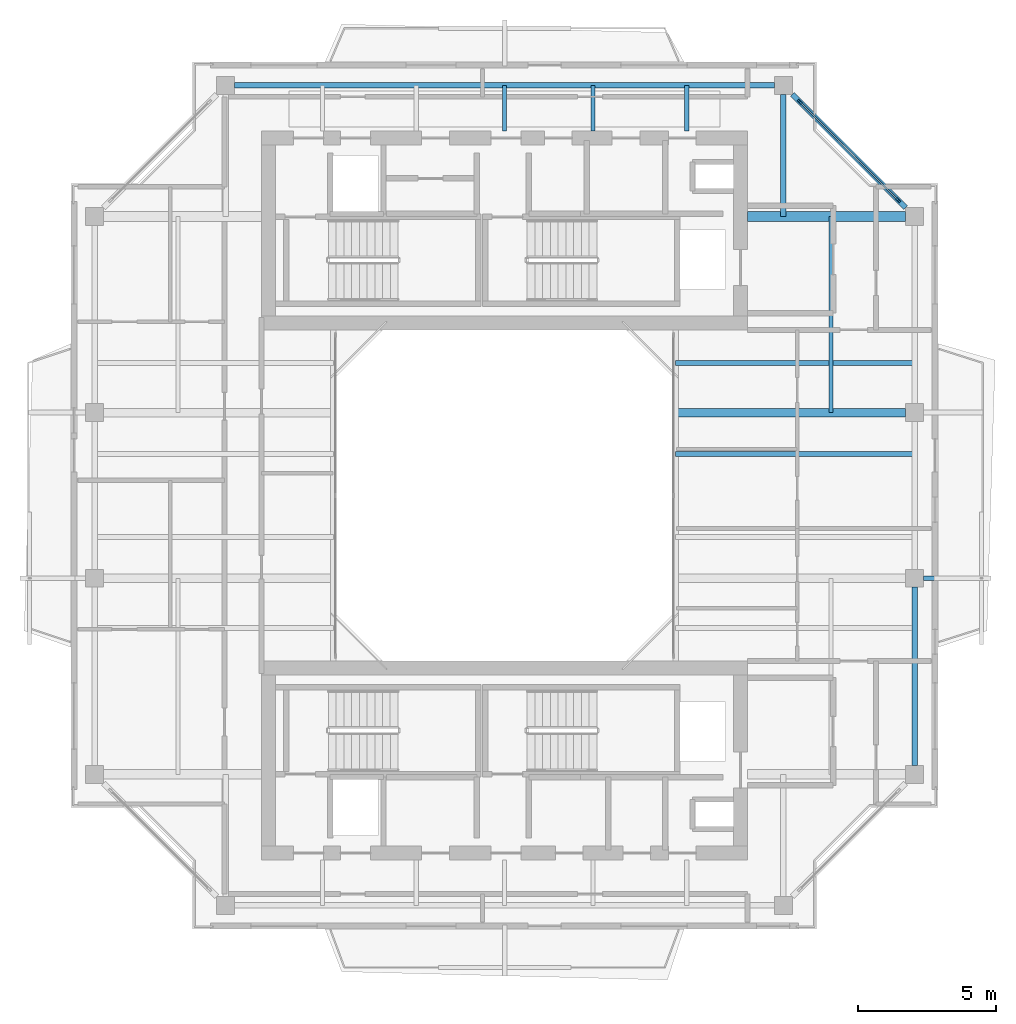
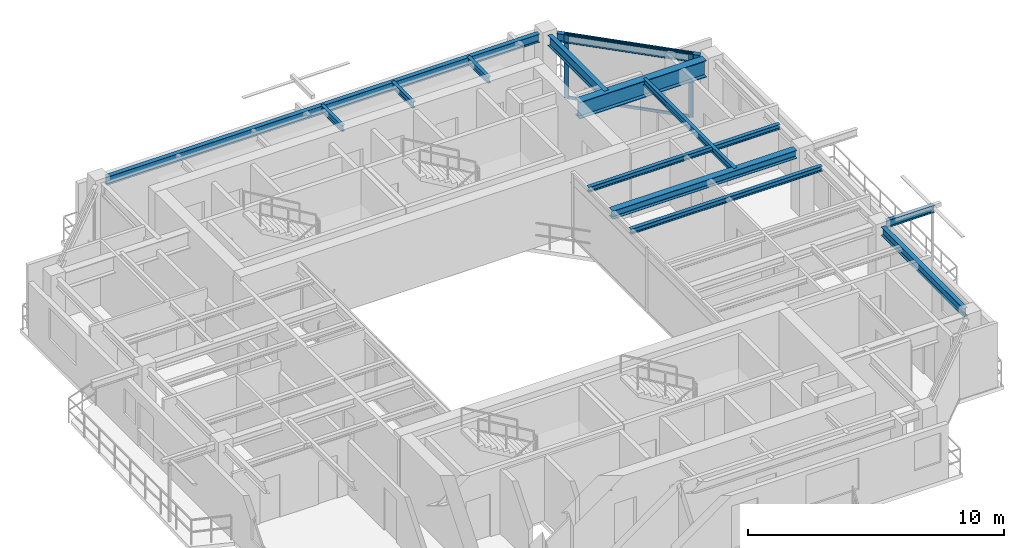
# One storey, part 6 of 15: 13 beams, 4 members, 1 element without a shape of its own.
"""IFC4 building model written with IfcOpenShell, lengths in metres."""

from ifc_helpers import new_model, si_unit, direction, frame, origin, origin_2d, place, context, subcontext, project, spatial, rectangle, i_section, extrude, source, transform, mapped, material, layer, layer_set, material_profile, profile_set, type_object, element, aggregate, save


model = new_model("IFC4")

# Units and contexts
model_context = context("Model", 3, precision=1e-05, world=origin(), true_north=direction((0.0, 1.0)))
body_context = subcontext(model_context, "Body", "Model", "MODEL_VIEW")
ifc_project = project(units=[si_unit("LENGTHUNIT", "METRE"), si_unit("AREAUNIT", "SQUARE_METRE"), si_unit("VOLUMEUNIT", "CUBIC_METRE"), si_unit("PLANEANGLEUNIT", "RADIAN"), si_unit("MASSUNIT", "GRAM", prefix="KILO"), si_unit("THERMODYNAMICTEMPERATUREUNIT", "KELVIN"), si_unit("POWERUNIT", "WATT")], contexts=[model_context])

# Site, building, storey
site_placement = place(None, origin())
site = spatial("IfcSite", under=ifc_project, at=site_placement, CompositionType="ELEMENT")
building_placement = place(site_placement, origin())
building = spatial("IfcBuilding", under=site, at=building_placement, Name="Qiaomeng Ring Towers", CompositionType="ELEMENT")
storey_placement = place(building_placement, frame((0.0, 0.0, 250.25)))
storey = spatial("IfcBuildingStorey", under=building, at=storey_placement, Name="L73", CompositionType="ELEMENT", Elevation=250.25)

# Beams
ifc_material_1 = material(Name="Steel Q355B", Category="steel")
ifc_material_profile_1 = material_profile(ifc_material_1, i_section(OverallWidth=0.198974609375, OverallDepth=0.39599609375, WebThickness=0.007080078125, FlangeThickness=0.010986328125, FilletRadius=0.01611328125, at=origin_2d()), Name="HN 396x199x7x11")
ifc_profile_set_1 = profile_set([ifc_material_profile_1], Name="Steel Q355B")
beam_type_1 = type_object("IfcBeamType", Name="STR-BM-HN396", PredefinedType="SPANDREL", material=ifc_profile_set_1)
shared_shape_1 = source(origin(), body_context, "Body", "SweptSolid", [
    extrude(i_section(OverallWidth=0.198974609375, OverallDepth=0.39599609375, WebThickness=0.007080078125, FlangeThickness=0.010986328125, FilletRadius=0.01611328125, at=origin_2d()), origin(), (0.0, 0.0, 1.0), 19.5517578125),
])
beam_1_placement = place(storey_placement, frame((28.77587890625, 37.85009765625, 2.8720703125), z_axis=(-1.0, 0.0, 0.0), x_axis=(0.0, -1.0, 0.0)))
element("IfcBeam", 1, at=beam_1_placement, inside=storey, type_object=beam_type_1, Name="L73 beam STR-SP-L73-T1-N2-N1", PredefinedType="SPANDREL", context=body_context, shape_type="MappedRepresentation", body=[
    mapped(shared_shape_1, transform((0.0, 0.0, 0.0), x_axis=(1.0, 0.0, 0.0), y_axis=(0.0, 1.0, 0.0), z_axis=(0.0, 0.0, 1.0), scale=1.0)),
])
shared_shape_2 = source(origin(), body_context, "Body", "SweptSolid", [
    extrude(i_section(OverallWidth=0.198974609375, OverallDepth=0.39599609375, WebThickness=0.007080078125, FlangeThickness=0.010986328125, FilletRadius=0.01611328125, at=origin_2d()), origin(), (0.0, 0.0, 1.0), 5.800048828125),
])
beam_2_placement = place(storey_placement, frame((33.525634765625, 33.42431640625, 2.8720703125), z_axis=(-0.707106781187, 0.707106781187, 0.0), x_axis=(-0.707106781187, -0.707106781187, 0.0)))
element("IfcBeam", 2, at=beam_2_placement, inside=storey, type_object=beam_type_1, Name="L73 beam STR-SP-L73-T1-E4-N2", PredefinedType="SPANDREL", context=body_context, shape_type="MappedRepresentation", body=[
    mapped(shared_shape_2, transform((0.0, 0.0, 0.0), x_axis=(1.0, 0.0, 0.0), y_axis=(0.0, 1.0, 0.0), z_axis=(0.0, 0.0, 1.0), scale=1.0)),
])
shared_shape_3 = source(origin(), body_context, "Body", "SweptSolid", [
    extrude(i_section(OverallWidth=0.198974609375, OverallDepth=0.39599609375, WebThickness=0.007080078125, FlangeThickness=0.010986328125, FilletRadius=0.01611328125, at=origin_2d()), origin(), (0.0, 0.0, 1.0), 6.451904296875),
])
beam_3_placement = place(storey_placement, frame((33.85009765625, 13.22412109375, 2.8720703125), z_axis=(0.0, 1.0, 0.0), x_axis=(-1.0, 0.0, 0.0)))
element("IfcBeam", 3, at=beam_3_placement, inside=storey, type_object=beam_type_1, Name="L73 beam STR-SP-L73-T1-E1-E2", PredefinedType="SPANDREL", context=body_context, shape_type="MappedRepresentation", body=[
    mapped(shared_shape_3, transform((0.0, 0.0, 0.0), x_axis=(1.0, 0.0, 0.0), y_axis=(0.0, 1.0, 0.0), z_axis=(0.0, 0.0, 1.0), scale=1.0)),
])
ifc_material_2 = material(Name="Steel Q390GJC", Category="steel")
ifc_material_profile_2 = material_profile(ifc_material_2, i_section(OverallWidth=0.35009765625, OverallDepth=0.800048828125, WebThickness=0.01611328125, FlangeThickness=0.028076171875, at=origin_2d()), Name="WH 800x350x16x28")
ifc_profile_set_2 = profile_set([ifc_material_profile_2], Name="Steel Q390GJC")
beam_type_2 = type_object("IfcBeamType", Name="STR-BM-WH800", PredefinedType="BEAM", material=ifc_profile_set_2)
shared_shape_4 = source(origin(), body_context, "Body", "SweptSolid", [
    extrude(i_section(OverallWidth=0.35009765625, OverallDepth=0.800048828125, WebThickness=0.01611328125, FlangeThickness=0.028076171875, at=origin_2d()), origin(), (0.0, 0.0, 1.0), 5.725830078125),
])
beam_4_placement = place(storey_placement, frame((27.800048828125, 33.10009765625, 2.669921875), z_axis=(1.0, 0.0, 0.0), x_axis=(0.0, 1.0, 0.0)))
element("IfcBeam", 4, at=beam_4_placement, inside=storey, type_object=beam_type_2, Name="L73 beam STR-BM-L73-T1-RAD-E4", PredefinedType="BEAM", context=body_context, shape_type="MappedRepresentation", body=[
    mapped(shared_shape_4, transform((0.0, 0.0, 0.0), x_axis=(1.0, 0.0, 0.0), y_axis=(0.0, 1.0, 0.0), z_axis=(0.0, 0.0, 1.0), scale=1.0)),
])
ifc_material_profile_3 = material_profile(ifc_material_1, i_section(OverallWidth=0.198974609375, OverallDepth=0.49609375, WebThickness=0.009033203125, FlangeThickness=0.013916015625, FilletRadius=0.01806640625, at=origin_2d()), Name="HN 496x199x9x14")
ifc_profile_set_3 = profile_set([ifc_material_profile_3], Name="Steel Q355B")
beam_type_3 = type_object("IfcBeamType", Name="STR-BM-HN496", PredefinedType="BEAM", material=ifc_profile_set_3)
shared_shape_5 = source(origin(), body_context, "Body", "SweptSolid", [
    extrude(i_section(OverallWidth=0.198974609375, OverallDepth=0.49609375, WebThickness=0.009033203125, FlangeThickness=0.013916015625, FilletRadius=0.01806640625, at=origin_2d()), origin(), (0.0, 0.0, 1.0), 4.42578125),
])
beam_5_placement = place(storey_placement, frame((29.10009765625, 37.52587890625, 2.822021484375), z_axis=(0.0, -1.0, 0.0), x_axis=(1.0, 0.0, 0.0)))
element("IfcBeam", 5, at=beam_5_placement, inside=storey, type_object=beam_type_3, Name="L73 beam STR-BM-L73-T1-RAD-N2", PredefinedType="BEAM", context=body_context, shape_type="MappedRepresentation", body=[
    mapped(shared_shape_5, transform((0.0, 0.0, 0.0), x_axis=(1.0, 0.0, 0.0), y_axis=(0.0, 1.0, 0.0), z_axis=(0.0, 0.0, 1.0), scale=1.0)),
])
ifc_material_profile_4 = material_profile(ifc_material_1, i_section(OverallWidth=0.300048828125, OverallDepth=0.389892578125, WebThickness=0.010009765625, FlangeThickness=0.01611328125, FilletRadius=0.02197265625, at=origin_2d()), Name="HM 390x300x10x16")
ifc_profile_set_4 = profile_set([ifc_material_profile_4], Name="Steel Q355B")
beam_type_4 = type_object("IfcBeamType", Name="STR-BM-HM390", PredefinedType="BEAM", material=ifc_profile_set_4)
shared_shape_6 = source(origin(), body_context, "Body", "SweptSolid", [
    extrude(i_section(OverallWidth=0.300048828125, OverallDepth=0.389892578125, WebThickness=0.010009765625, FlangeThickness=0.01611328125, FilletRadius=0.02197265625, at=origin_2d()), origin(), (0.0, 0.0, 1.0), 8.325927734375),
])
beam_6_placement = place(storey_placement, frame((25.199951171875, 26.0, 2.875), z_axis=(1.0, 0.0, 0.0), x_axis=(0.0, 1.0, 0.0)))
element("IfcBeam", 6, at=beam_6_placement, inside=storey, type_object=beam_type_4, Name="L73 beam STR-BM-L73-T1-RAD-E3", PredefinedType="BEAM", context=body_context, shape_type="MappedRepresentation", body=[
    mapped(shared_shape_6, transform((0.0, 0.0, 0.0), x_axis=(1.0, 0.0, 0.0), y_axis=(0.0, 1.0, 0.0), z_axis=(0.0, 0.0, 1.0), scale=1.0)),
])
ifc_material_profile_5 = material_profile(ifc_material_1, i_section(OverallWidth=0.175048828125, OverallDepth=0.35009765625, WebThickness=0.007080078125, FlangeThickness=0.010986328125, FilletRadius=0.013916015625, at=origin_2d()), Name="HN 350x175x7x11")
ifc_profile_set_5 = profile_set([ifc_material_profile_5], Name="Steel Q355B")
beam_type_5 = type_object("IfcBeamType", Name="STR-BM-HN350", PredefinedType="JOIST", material=ifc_profile_set_5)
shared_shape_7 = source(origin(), body_context, "Body", "SweptSolid", [
    extrude(i_section(OverallWidth=0.175048828125, OverallDepth=0.35009765625, WebThickness=0.007080078125, FlangeThickness=0.010986328125, FilletRadius=0.013916015625, at=origin_2d()), origin(), (0.0, 0.0, 1.0), 2.14599609375),
])
beam_7_placement = place(storey_placement, frame((34.174072265625, 20.0, 2.89501953125), z_axis=(1.0, 0.0, 0.0), x_axis=(0.0, 1.0, 0.0)))
element("IfcBeam", 7, at=beam_7_placement, inside=storey, type_object=beam_type_5, Name="L73 beam STR-BALBM-L73-E2", PredefinedType="JOIST", context=body_context, shape_type="MappedRepresentation", body=[
    mapped(shared_shape_7, transform((0.0, 0.0, 0.0), x_axis=(1.0, 0.0, 0.0), y_axis=(0.0, 1.0, 0.0), z_axis=(0.0, 0.0, 1.0), scale=1.0)),
])
ifc_material_profile_6 = material_profile(ifc_material_1, i_section(OverallWidth=0.14990234375, OverallDepth=0.300048828125, WebThickness=0.006591796875, FlangeThickness=0.009033203125, FilletRadius=0.012939453125, at=origin_2d()), Name="HN 300x150x6.5x9")
ifc_profile_set_6 = profile_set([ifc_material_profile_6], Name="Steel Q355B")
beam_type_6 = type_object("IfcBeamType", Name="STR-BM-HN300", PredefinedType="JOIST", material=ifc_profile_set_6)
shared_shape_8 = source(origin(), body_context, "Body", "SweptSolid", [
    extrude(i_section(OverallWidth=0.14990234375, OverallDepth=0.300048828125, WebThickness=0.006591796875, FlangeThickness=0.009033203125, FilletRadius=0.012939453125, at=origin_2d()), origin(), (0.0, 0.0, 1.0), 1.650146484375),
])
for number, where, z_axis, x_axis, name in (
    (8, (19.0, 36.199951171875, 2.919921875), (0.0, 1.0, 0.0), (-1.0, 0.0, 0.0), "L73 beam STR-JST-L73-T1N-3"),
    (9, (22.199951171875, 36.199951171875, 2.919921875), (0.0, 1.0, 0.0), (-1.0, 0.0, 0.0), "L73 beam STR-JST-L73-T1N-4"),
    (10, (25.60009765625, 36.199951171875, 2.919921875), (0.0, 1.0, 0.0), (-1.0, 0.0, 0.0), "L73 beam STR-JST-L73-T1N-5"),
):
    element("IfcBeam", number, at=place(storey_placement, frame(where, z_axis=z_axis, x_axis=x_axis)), inside=storey, type_object=beam_type_6, Name=name, PredefinedType="JOIST", context=body_context, shape_type="MappedRepresentation", body=[
        mapped(shared_shape_8, transform((0.0, 0.0, 0.0), x_axis=(1.0, 0.0, 0.0), y_axis=(0.0, 1.0, 0.0), z_axis=(0.0, 0.0, 1.0), scale=1.0)),
    ])
ifc_material_profile_7 = material_profile(ifc_material_1, i_section(OverallWidth=0.175048828125, OverallDepth=0.243896484375, WebThickness=0.007080078125, FlangeThickness=0.010986328125, FilletRadius=0.01611328125, at=origin_2d()), Name="HM 244x175x7x11")
ifc_profile_set_7 = profile_set([ifc_material_profile_7], Name="Steel Q355B")
beam_type_7 = type_object("IfcBeamType", Name="STR-BM-HM244", PredefinedType="JOIST", material=ifc_profile_set_7)
shared_shape_9 = source(origin(), body_context, "Body", "SweptSolid", [
    extrude(i_section(OverallWidth=0.175048828125, OverallDepth=0.243896484375, WebThickness=0.007080078125, FlangeThickness=0.010986328125, FilletRadius=0.01611328125, at=origin_2d()), origin(), (0.0, 0.0, 1.0), 8.650146484375),
])
for number, where, z_axis, x_axis, name in (
    (11, (25.199951171875, 24.5, 2.947998046875), (1.0, 0.0, 0.0), (0.0, 1.0, 0.0), "L73 beam STR-JST-L73-T1E-3"),
    (12, (25.199951171875, 27.800048828125, 2.947998046875), (1.0, 0.0, 0.0), (0.0, 1.0, 0.0), "L73 beam STR-JST-L73-T1E-4"),
):
    element("IfcBeam", number, at=place(storey_placement, frame(where, z_axis=z_axis, x_axis=x_axis)), inside=storey, type_object=beam_type_7, Name=name, PredefinedType="JOIST", context=body_context, shape_type="MappedRepresentation", body=[
        mapped(shared_shape_9, transform((0.0, 0.0, 0.0), x_axis=(1.0, 0.0, 0.0), y_axis=(0.0, 1.0, 0.0), z_axis=(0.0, 0.0, 1.0), scale=1.0)),
    ])
shared_shape_10 = source(origin(), body_context, "Body", "SweptSolid", [
    extrude(i_section(OverallWidth=0.14990234375, OverallDepth=0.300048828125, WebThickness=0.006591796875, FlangeThickness=0.009033203125, FilletRadius=0.012939453125, at=origin_2d()), origin(), (0.0, 0.0, 1.0), 7.10009765625),
])
beam_8_placement = place(storey_placement, frame((30.824951171875, 26.0, 2.919921875), z_axis=(0.0, 1.0, 0.0), x_axis=(-1.0, 0.0, 0.0)))
element("IfcBeam", 13, at=beam_8_placement, inside=storey, type_object=beam_type_6, Name="L73 beam STR-JST-L73-T1C-EN", PredefinedType="JOIST", context=body_context, shape_type="MappedRepresentation", body=[
    mapped(shared_shape_10, transform((0.0, 0.0, 0.0), x_axis=(1.0, 0.0, 0.0), y_axis=(0.0, 1.0, 0.0), z_axis=(0.0, 0.0, 1.0), scale=1.0)),
])

# Curtain wall, members
ifc_material_3 = material(Name="Fluorocarbon dark-grey aluminium", Category="aluminium")
ifc_layer = layer(ifc_material_3, 0.14990234375, Name="Fluorocarbon dark-grey aluminium")
ifc_layer_set = layer_set([ifc_layer], Name="Fluorocarbon dark-grey aluminium")
curtain_wall_type = type_object("IfcCurtainWallType", Name="ARC-CW-3", PredefinedType="NOTDEFINED", material=ifc_layer_set)
curtain_wall_placement = place(storey_placement, origin())
curtain_wall = element("IfcCurtainWall", 14, at=curtain_wall_placement, inside=storey, type_object=curtain_wall_type, Name="L73 Curtain Wall CW3", PredefinedType="NOTDEFINED")
ifc_material_profile_8 = material_profile(ifc_material_3, rectangle(XDim=0.070068359375, YDim=0.179931640625, at=origin_2d()), Name="ALU MULL 70x180")
ifc_profile_set_8 = profile_set([ifc_material_profile_8], Name="Fluorocarbon dark-grey aluminium")
member_type_1 = type_object("IfcMemberType", Name="ARC-CWM-160", PredefinedType="MULLION", material=ifc_profile_set_8)
shared_shape_11 = source(origin(), body_context, "Body", "SweptSolid", [
    extrude(rectangle(XDim=0.070068359375, YDim=0.179931640625, at=origin_2d()), origin(), (0.0, 0.0, 1.0), 3.070068359375),
])
member_1_placement = place(storey_placement, frame((33.26025390625, 33.689697265625, 0.0), z_axis=(0.0, 0.0, 1.0), x_axis=(-0.707106781187, -0.707106781187, 0.0)))
member_1 = element("IfcMember", 15, at=member_1_placement, type_object=member_type_1, Name="CW3 mullion 1", PredefinedType="MULLION", context=body_context, shape_type="MappedRepresentation", body=[
    mapped(shared_shape_11, transform((0.0, 0.0, 0.0), x_axis=(1.0, 0.0, 0.0), y_axis=(0.0, 1.0, 0.0), z_axis=(0.0, 0.0, 1.0), scale=1.0)),
])
member_2_placement = place(storey_placement, frame((29.689697265625, 37.26025390625, 0.0), z_axis=(0.0, 0.0, 1.0), x_axis=(-0.707106781187, -0.707106781187, 0.0)))
member_2 = element("IfcMember", 16, at=member_2_placement, type_object=member_type_1, Name="CW3 mullion 2", PredefinedType="MULLION", context=body_context, shape_type="MappedRepresentation", body=[
    mapped(shared_shape_11, transform((0.0, 0.0, 0.0), x_axis=(1.0, 0.0, 0.0), y_axis=(0.0, 1.0, 0.0), z_axis=(0.0, 0.0, 1.0), scale=1.0)),
])
ifc_material_profile_9 = material_profile(ifc_material_3, rectangle(XDim=0.06494140625, YDim=0.1298828125, at=origin_2d()), Name="ALU TRAN 65x130")
ifc_profile_set_9 = profile_set([ifc_material_profile_9], Name="Fluorocarbon dark-grey aluminium")
member_type_2 = type_object("IfcMemberType", Name="ARC-CWT-120", PredefinedType="USERDEFINED", material=ifc_profile_set_9)
shared_shape_12 = source(origin(), body_context, "Body", "SweptSolid", [
    extrude(rectangle(XDim=0.06494140625, YDim=0.1298828125, at=origin_2d()), origin(), (0.0, 0.0, 1.0), 4.9794921875),
])
member_3_placement = place(storey_placement, frame((33.235595703125, 33.714599609375, 0.032470703125), z_axis=(-0.707106781187, 0.707106781187, 0.0), x_axis=(-0.707106781187, -0.707106781187, 0.0)))
member_3 = element("IfcMember", 17, at=member_3_placement, type_object=member_type_2, Name="CW3 transom 1.1", ObjectType="TRANSOM", PredefinedType="USERDEFINED", context=body_context, shape_type="MappedRepresentation", body=[
    mapped(shared_shape_12, transform((0.0, 0.0, 0.0), x_axis=(1.0, 0.0, 0.0), y_axis=(0.0, 1.0, 0.0), z_axis=(0.0, 0.0, 1.0), scale=1.0)),
])
member_4_placement = place(storey_placement, frame((33.235595703125, 33.714599609375, 3.03759765625), z_axis=(-0.707106781187, 0.707106781187, 0.0), x_axis=(-0.707106781187, -0.707106781187, 0.0)))
member_4 = element("IfcMember", 18, at=member_4_placement, type_object=member_type_2, Name="CW3 transom 1.2", ObjectType="TRANSOM", PredefinedType="USERDEFINED", context=body_context, shape_type="MappedRepresentation", body=[
    mapped(shared_shape_12, transform((0.0, 0.0, 0.0), x_axis=(1.0, 0.0, 0.0), y_axis=(0.0, 1.0, 0.0), z_axis=(0.0, 0.0, 1.0), scale=1.0)),
])
aggregate(curtain_wall, [member_1, member_2, member_3, member_4])

save(model, "model.ifc")
